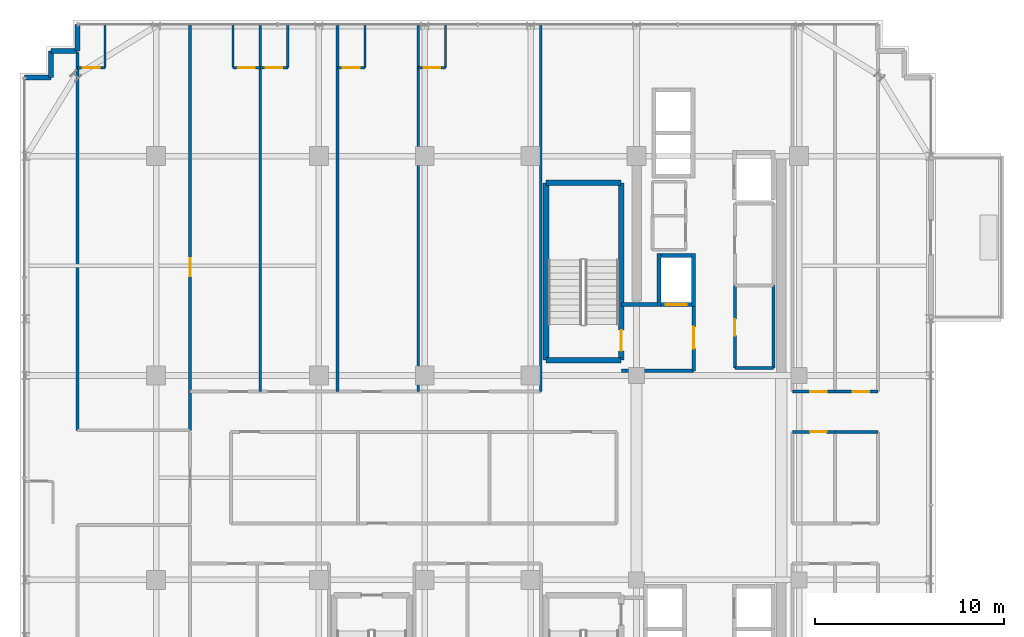
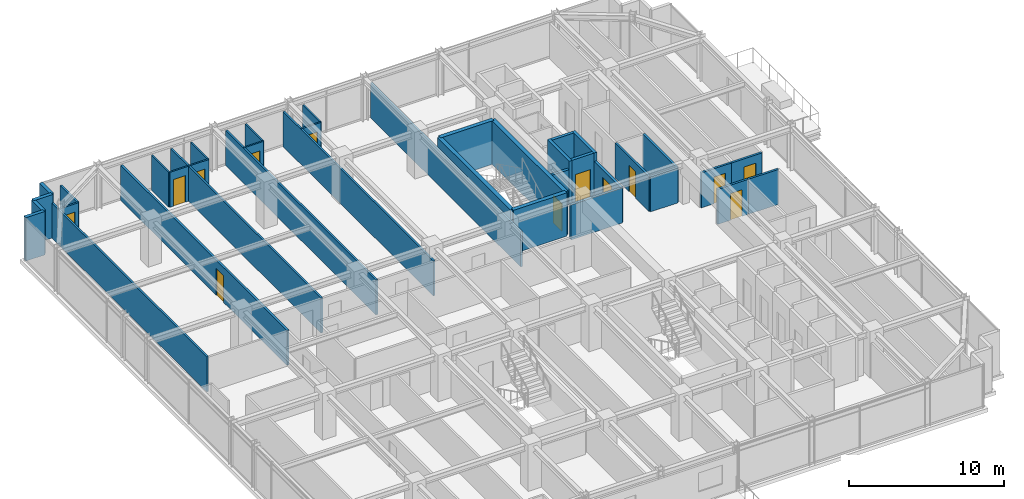
# One storey, part 30 of 34: 38 walls, 13 doors, 13 openings.
"""IFC4 building model written with IfcOpenShell, lengths in metres."""

from ifc_helpers import new_model, si_unit, direction, frame, frame_2d, origin, place, context, subcontext, project, spatial, rectangle, extrude, source, transform, mapped, material, layer, layer_set, type_object, element, fill, save


model = new_model("IFC4")

# Units and contexts
model_context = context("Model", 3, precision=1e-05, world=origin(), true_north=direction((0.0, 1.0)))
body_context = subcontext(model_context, "Body", "Model", "MODEL_VIEW")
ifc_project = project(units=[si_unit("LENGTHUNIT", "METRE"), si_unit("AREAUNIT", "SQUARE_METRE"), si_unit("VOLUMEUNIT", "CUBIC_METRE"), si_unit("PLANEANGLEUNIT", "RADIAN"), si_unit("MASSUNIT", "GRAM", prefix="KILO")], contexts=[model_context])

# Site, building, storey
site_placement = place(None, origin())
site = spatial("IfcSite", under=ifc_project, at=site_placement, CompositionType="ELEMENT")
building_placement = place(site_placement, origin())
building = spatial("IfcBuilding", under=site, at=building_placement, Name="Nahalor Promenade Grand Hotel", CompositionType="ELEMENT")
storey_placement = place(building_placement, frame((0.0, 0.0, 208.60009765625)))
storey = spatial("IfcBuildingStorey", under=building, at=storey_placement, Name="L53", CompositionType="ELEMENT", Elevation=208.60009765625)

# Walls
ifc_material_1 = material(Name="Concrete B-50 (C40/50)", Category="concrete")
ifc_layer_1 = layer(ifc_material_1, 0.300048828125)
ifc_layer_set_1 = layer_set([ifc_layer_1], Name="Concrete B-50 (C40/50)")
wall_type_1 = type_object("IfcWallType", Name="Wall-ShaftShear-300", PredefinedType="SHEAR", material=ifc_layer_set_1)
shared_shape_1 = source(origin(), body_context, "Body", "SweptSolid", [
    extrude(rectangle(XDim=3.97998046875, YDim=0.300048828125, at=frame_2d((1.989990234375, 0.0))), origin(), (0.0, 0.0, 1.0), 3.409912109375),
])
for number, where, z_axis, x_axis, name in (
    (1, (3.610107421875, 6.2099609375, 0.0), (0.0, 0.0, 1.0), (1.0, 0.0, 0.0), "L53 Exit Stair ST1 Shaft Wall S"),
    (2, (3.610107421875, 15.590087890625, 0.0), (0.0, 0.0, 1.0), (1.0, 0.0, 0.0), "L53 Exit Stair ST1 Shaft Wall N"),
):
    element("IfcWall", number, at=place(storey_placement, frame(where, z_axis=z_axis, x_axis=x_axis)), inside=storey, type_object=wall_type_1, Name=name, PredefinedType="SHEAR", context=body_context, shape_type="MappedRepresentation", body=[
        mapped(shared_shape_1, transform((0.0, 0.0, 0.0), scale=1.0)),
    ])
shared_shape_2 = source(origin(), body_context, "Body", "SweptSolid", [
    extrude(rectangle(XDim=9.380126953125, YDim=0.300048828125, at=frame_2d((4.68994140625, 0.0))), origin(), (0.0, 0.0, 1.0), 3.409912109375),
])
wall_1_placement = place(storey_placement, frame((3.610107421875, 6.2099609375, 0.0), z_axis=(0.0, 0.0, 1.0), x_axis=(0.0, 1.0, 0.0)))
element("IfcWall", 3, at=wall_1_placement, inside=storey, type_object=wall_type_1, Name="L53 Exit Stair ST1 Shaft Wall W", PredefinedType="SHEAR", context=body_context, shape_type="MappedRepresentation", body=[
    mapped(shared_shape_2, transform((0.0, 0.0, 0.0), scale=1.0)),
])

# Wall, opening, door
wall_2_placement = place(storey_placement, frame((7.590087890625, 6.2099609375, 0.0), z_axis=(0.0, 0.0, 1.0), x_axis=(0.0, 1.0, 0.0)))
wall_2 = element("IfcWall", 4, at=wall_2_placement, inside=storey, type_object=wall_type_1, Name="L53 Exit Stair ST1 Shaft Wall E", PredefinedType="SHEAR", context=body_context, shape_type="MappedRepresentation", body=[
    mapped(shared_shape_2, transform((0.0, 0.0, 0.0), scale=1.0)),
])
opening_1_placement = place(wall_2_placement, frame((0.489990234375, 0.0, 0.0)))
opening_1 = element("IfcOpeningElement", 5, at=opening_1_placement, cuts=wall_2, Name="Opening D-ST1", PredefinedType="OPENING", context=body_context, shape_type="SweptSolid", body=[
    extrude(rectangle(XDim=1.10009765625, YDim=2.14990234375, at=frame_2d((0.550048828125, 1.074951171875))), frame((0.0, 0.159912109375, 0.0), z_axis=(0.0, -1.0, 0.0), x_axis=(1.0, 0.0, 0.0)), (0.0, 0.0, 1.0), 0.320068359375),
])
ifc_material_2 = material(Name="Steel S355JR", Category="steel")
door_type_1 = type_object("IfcDoorType", Name="Door-StairFire-1100", OperationType="NOTDEFINED", PredefinedType="DOOR", material=ifc_material_2)
shared_shape_3 = source(origin(), body_context, "Body", "SweptSolid", [
    extrude(rectangle(XDim=1.10009765625, YDim=2.14990234375, at=frame_2d((0.550048828125, 1.074951171875))), frame((0.0, 0.02490234375, 0.0), z_axis=(0.0, -1.0, 0.0), x_axis=(1.0, 0.0, 0.0)), (0.0, 0.0, 1.0), 0.050048828125),
])
door_1_placement = place(opening_1_placement, origin())
door_1 = element("IfcDoor", 6, at=door_1_placement, inside=storey, type_object=door_type_1, Name="DR-STAIR-ST1-L53", OperationType="SINGLE_SWING_RIGHT", OverallHeight=2.14990234375, OverallWidth=1.10009765625, PredefinedType="DOOR", context=body_context, shape_type="MappedRepresentation", body=[
    mapped(shared_shape_3, transform((0.0, 0.0, 0.0), scale=1.0)),
])
fill(opening_1, door_1)

# Walls
ifc_layer_2 = layer(ifc_material_1, 0.219970703125)
ifc_layer_set_2 = layer_set([ifc_layer_2], Name="Concrete B-50 (C40/50)")
wall_type_2 = type_object("IfcWallType", Name="Wall-LiftShaft-220", PredefinedType="SHEAR", material=ifc_layer_set_2)
shared_shape_4 = source(origin(), body_context, "Body", "SweptSolid", [
    extrude(rectangle(XDim=2.820068359375, YDim=0.219970703125, at=frame_2d((1.41015625, 0.0))), origin(), (0.0, 0.0, 1.0), 3.409912109375),
])
for number, where, z_axis, x_axis, name in (
    (7, (9.580078125, 9.0400390625, 0.0), (0.0, 0.0, 1.0), (0.0, 1.0, 0.0), "L53 Lift FL1 Hoistway Wall W"),
    (8, (11.419921875, 9.0400390625, 0.0), (0.0, 0.0, 1.0), (0.0, 1.0, 0.0), "L53 Lift FL1 Hoistway Wall E"),
):
    element("IfcWall", number, at=place(storey_placement, frame(where, z_axis=z_axis, x_axis=x_axis)), inside=storey, type_object=wall_type_2, Name=name, PredefinedType="SHEAR", context=body_context, shape_type="MappedRepresentation", body=[
        mapped(shared_shape_4, transform((0.0, 0.0, 0.0), scale=1.0)),
    ])

# Wall, opening, door
shared_shape_5 = source(origin(), body_context, "Body", "SweptSolid", [
    extrude(rectangle(XDim=1.6201171875, YDim=0.219970703125, at=frame_2d((0.81005859375, 0.0))), origin(), (0.0, 0.0, 1.0), 3.409912109375),
])
wall_3_placement = place(storey_placement, frame((9.68994140625, 9.14990234375, 0.0), z_axis=(0.0, 0.0, 1.0), x_axis=(1.0, 0.0, 0.0)))
wall_3 = element("IfcWall", 9, at=wall_3_placement, inside=storey, type_object=wall_type_2, Name="L53 Lift FL1 Hoistway Wall S", PredefinedType="SHEAR", context=body_context, shape_type="MappedRepresentation", body=[
    mapped(shared_shape_5, transform((0.0, 0.0, 0.0), scale=1.0)),
])
opening_2_placement = place(wall_3_placement, frame((0.260009765625, 0.0, 0.0)))
opening_2 = element("IfcOpeningElement", 10, at=opening_2_placement, cuts=wall_3, Name="Opening LD-02", PredefinedType="OPENING", context=body_context, shape_type="SweptSolid", body=[
    extrude(rectangle(XDim=1.10009765625, YDim=2.199951171875, at=frame_2d((0.550048828125, 1.10009765625))), frame((0.0, 0.119873046875, 0.0), z_axis=(0.0, -1.0, 0.0), x_axis=(1.0, 0.0, 0.0)), (0.0, 0.0, 1.0), 0.239990234375),
])
door_type_2 = type_object("IfcDoorType", Name="Door-LiftFF-1100", OperationType="DOUBLE_DOOR_SLIDING", PredefinedType="DOOR", material=ifc_material_2)
shared_shape_6 = source(origin(), body_context, "Body", "SweptSolid", [
    extrude(rectangle(XDim=1.10009765625, YDim=2.199951171875, at=frame_2d((0.550048828125, 1.10009765625))), frame((0.0, 0.02490234375, 0.0), z_axis=(0.0, -1.0, 0.0), x_axis=(1.0, 0.0, 0.0)), (0.0, 0.0, 1.0), 0.050048828125),
])
door_2_placement = place(opening_2_placement, frame((1.10009765625, 0.0, 0.0), z_axis=(0.0, 0.0, 1.0), x_axis=(-1.0, 0.0, 0.0)))
door_2 = element("IfcDoor", 11, at=door_2_placement, inside=storey, type_object=door_type_2, Name="DR-LIFT-FL1-L53", OperationType="DOUBLE_DOOR_SLIDING", OverallHeight=2.199951171875, OverallWidth=1.10009765625, PredefinedType="DOOR", context=body_context, shape_type="MappedRepresentation", body=[
    mapped(shared_shape_6, transform((0.0, 0.0, 0.0), scale=1.0)),
])
fill(opening_2, door_2)

# Walls
wall_4_placement = place(storey_placement, frame((9.68994140625, 11.75, 0.0), z_axis=(0.0, 0.0, 1.0), x_axis=(1.0, 0.0, 0.0)))
element("IfcWall", 12, at=wall_4_placement, inside=storey, type_object=wall_type_2, Name="L53 Lift FL1 Hoistway Wall N", PredefinedType="SHEAR", context=body_context, shape_type="MappedRepresentation", body=[
    mapped(shared_shape_5, transform((0.0, 0.0, 0.0), scale=1.0)),
])
ifc_material_3 = material(Name="Concrete B-40 (C32/40)", Category="concrete")
ifc_layer_3 = layer(ifc_material_3, 0.25)
ifc_layer_set_3 = layer_set([ifc_layer_3], Name="Concrete B-40 (C32/40)")
wall_type_3 = type_object("IfcWallType", Name="Wall-BronzePier-250", PredefinedType="STANDARD", material=ifc_layer_set_3)
shared_shape_7 = source(origin(), body_context, "Body", "SweptSolid", [
    extrude(rectangle(XDim=1.39990234375, YDim=0.25, at=frame_2d((0.699951171875, 0.0))), origin(), (0.0, 0.0, 1.0), 3.409912109375),
])
for number, where, z_axis, x_axis, name in (
    (13, (-21.159912109375, 22.56005859375, 0.0), (0.0, 0.0, 1.0), (0.0, 1.0, 0.0), "W-L53-SR-09"),
    (14, (-23.9599609375, 21.159912109375, 0.0), (0.0, 0.0, 1.0), (1.0, 0.0, 0.0), "W-L53-SR-12"),
):
    element("IfcWall", number, at=place(storey_placement, frame(where, z_axis=z_axis, x_axis=x_axis)), inside=storey, type_object=wall_type_3, Name=name, PredefinedType="STANDARD", context=body_context, shape_type="MappedRepresentation", body=[
        mapped(shared_shape_7, transform((0.0, 0.0, 0.0), scale=1.0)),
    ])
shared_shape_8 = source(origin(), body_context, "Body", "SweptSolid", [
    extrude(rectangle(XDim=1.400146484375, YDim=0.25, at=frame_2d((0.7001953125, 0.0))), origin(), (0.0, 0.0, 1.0), 3.409912109375),
])
for number, where, z_axis, x_axis, name in (
    (15, (-22.56005859375, 22.56005859375, 0.0), (0.0, 0.0, 1.0), (1.0, 0.0, 0.0), "W-L53-SR-10"),
    (16, (-22.56005859375, 21.159912109375, 0.0), (0.0, 0.0, 1.0), (0.0, 1.0, 0.0), "W-L53-SR-11"),
):
    element("IfcWall", number, at=place(storey_placement, frame(where, z_axis=z_axis, x_axis=x_axis)), inside=storey, type_object=wall_type_3, Name=name, PredefinedType="STANDARD", context=body_context, shape_type="MappedRepresentation", body=[
        mapped(shared_shape_8, transform((0.0, 0.0, 0.0), scale=1.0)),
    ])
ifc_layer_4 = layer(ifc_material_3, 0.199951171875)
ifc_layer_set_4 = layer_set([ifc_layer_4], Name="Concrete B-40 (C32/40)")
wall_type_4 = type_object("IfcWallType", Name="Wall-PartFire-200", PredefinedType="PARTITIONING", material=ifc_layer_set_4)
shared_shape_9 = source(origin(), body_context, "Body", "SweptSolid", [
    extrude(rectangle(XDim=3.81982421875, YDim=0.199951171875, at=frame_2d((1.909912109375, 0.0))), origin(), (0.0, 0.0, 1.0), 2.75),
])
wall_5_placement = place(storey_placement, frame((7.60009765625, 5.64990234375, 0.0), z_axis=(0.0, 0.0, 1.0), x_axis=(1.0, 0.0, 0.0)))
element("IfcWall", 17, at=wall_5_placement, inside=storey, type_object=wall_type_4, Name="W-L53-FF1-S", PredefinedType="PARTITIONING", context=body_context, shape_type="MappedRepresentation", body=[
    mapped(shared_shape_9, transform((0.0, 0.0, 0.0), scale=1.0)),
])
shared_shape_10 = source(origin(), body_context, "Body", "SweptSolid", [
    extrude(rectangle(XDim=1.89990234375, YDim=0.199951171875, at=frame_2d((0.949951171875, 0.0))), origin(), (0.0, 0.0, 1.0), 2.75),
])
wall_6_placement = place(storey_placement, frame((7.60009765625, 9.14990234375, 0.0), z_axis=(0.0, 0.0, 1.0), x_axis=(1.0, 0.0, 0.0)))
element("IfcWall", 18, at=wall_6_placement, inside=storey, type_object=wall_type_4, Name="W-L53-FF1-N", PredefinedType="PARTITIONING", context=body_context, shape_type="MappedRepresentation", body=[
    mapped(shared_shape_10, transform((0.0, 0.0, 0.0), scale=1.0)),
])

# Wall, opening, door
shared_shape_11 = source(origin(), body_context, "Body", "SweptSolid", [
    extrude(rectangle(XDim=3.5, YDim=0.199951171875, at=frame_2d((1.75, 0.0))), origin(), (0.0, 0.0, 1.0), 2.75),
])
wall_7_placement = place(storey_placement, frame((11.419921875, 5.64990234375, 0.0), z_axis=(0.0, 0.0, 1.0), x_axis=(0.0, 1.0, 0.0)))
wall_7 = element("IfcWall", 19, at=wall_7_placement, inside=storey, type_object=wall_type_4, Name="W-L53-FF1-E", PredefinedType="PARTITIONING", context=body_context, shape_type="MappedRepresentation", body=[
    mapped(shared_shape_11, transform((0.0, 0.0, 0.0), scale=1.0)),
])
opening_3_placement = place(wall_7_placement, frame((1.175048828125, 0.0, 0.0)))
opening_3 = element("IfcOpeningElement", 20, at=opening_3_placement, cuts=wall_7, Name="Opening D-FF1", PredefinedType="OPENING", context=body_context, shape_type="SweptSolid", body=[
    extrude(rectangle(XDim=1.14990234375, YDim=2.14990234375, at=frame_2d((0.574951171875, 1.074951171875))), frame((0.0, 0.10986328125, 0.0), z_axis=(0.0, -1.0, 0.0), x_axis=(1.0, 0.0, 0.0)), (0.0, 0.0, 1.0), 0.219970703125),
])
door_type_3 = type_object("IfcDoorType", Name="Door-FFLobby-1150", OperationType="NOTDEFINED", PredefinedType="DOOR", material=ifc_material_2)
shared_shape_12 = source(origin(), body_context, "Body", "SweptSolid", [
    extrude(rectangle(XDim=1.14990234375, YDim=2.14990234375, at=frame_2d((0.574951171875, 1.074951171875))), frame((0.0, 0.02490234375, 0.0), z_axis=(0.0, -1.0, 0.0), x_axis=(1.0, 0.0, 0.0)), (0.0, 0.0, 1.0), 0.050048828125),
])
door_3_placement = place(opening_3_placement, frame((1.14990234375, 0.0, 0.0), z_axis=(0.0, 0.0, 1.0), x_axis=(-1.0, 0.0, 0.0)))
door_3 = element("IfcDoor", 21, at=door_3_placement, inside=storey, type_object=door_type_3, Name="DR-L53-FFL1", OperationType="SINGLE_SWING_LEFT", OverallHeight=2.14990234375, OverallWidth=1.14990234375, PredefinedType="DOOR", context=body_context, shape_type="MappedRepresentation", body=[
    mapped(shared_shape_12, transform((0.0, 0.0, 0.0), scale=1.0)),
])
fill(opening_3, door_3)

# Wall
ifc_material_4 = material(Name="Acoustic Mineral Gypsum", Category="gypsum")
ifc_layer_5 = layer(ifc_material_4, 0.159912109375)
ifc_layer_set_5 = layer_set([ifc_layer_5], Name="Acoustic Mineral Gypsum")
wall_type_5 = type_object("IfcWallType", Name="Wall-PartCorridor-160", PredefinedType="PARTITIONING", material=ifc_layer_set_5)
shared_shape_13 = source(origin(), body_context, "Body", "SweptSolid", [
    extrude(rectangle(XDim=2.0498046875, YDim=0.159912109375, at=frame_2d((1.02490234375, 0.0))), origin(), (0.0, 0.0, 1.0), 2.75),
])
wall_8_placement = place(storey_placement, frame((13.60009765625, 5.800048828125, 0.0), z_axis=(0.0, 0.0, 1.0), x_axis=(1.0, 0.0, 0.0)))
element("IfcWall", 22, at=wall_8_placement, inside=storey, type_object=wall_type_5, Name="W-L53-FRB1A-S", PredefinedType="PARTITIONING", context=body_context, shape_type="MappedRepresentation", body=[
    mapped(shared_shape_13, transform((0.0, 0.0, 0.0), scale=1.0)),
])

# Wall, opening, door
shared_shape_14 = source(origin(), body_context, "Body", "SweptSolid", [
    extrude(rectangle(XDim=2.255126953125, YDim=0.159912109375, at=frame_2d((1.12744140625, 0.0))), origin(), (0.0, 0.0, 1.0), 2.75),
])
wall_9_placement = place(storey_placement, frame((16.64990234375, 4.550048828125, 0.0), z_axis=(0.0, 0.0, 1.0), x_axis=(1.0, 0.0, 0.0)))
wall_9 = element("IfcWall", 23, at=wall_9_placement, inside=storey, type_object=wall_type_5, Name="W-L53-ENE1-S", PredefinedType="PARTITIONING", context=body_context, shape_type="MappedRepresentation", body=[
    mapped(shared_shape_14, transform((0.0, 0.0, 0.0), scale=1.0)),
])
opening_4_placement = place(wall_9_placement, frame((0.924072265625, 0.0, 0.0)))
opening_4 = element("IfcOpeningElement", 24, at=opening_4_placement, cuts=wall_9, Name="Opening D-03", PredefinedType="OPENING", context=body_context, shape_type="SweptSolid", body=[
    extrude(rectangle(XDim=0.8798828125, YDim=2.10009765625, at=frame_2d((0.43994140625, 1.050048828125))), frame((0.0, 0.08984375, 0.0), z_axis=(0.0, -1.0, 0.0), x_axis=(1.0, 0.0, 0.0)), (0.0, 0.0, 1.0), 0.179931640625),
])
ifc_material_5 = material(Name="Fire-Rated Timber Composite", Category="wood")
door_type_4 = type_object("IfcDoorType", Name="Door-BathSwing-880", OperationType="NOTDEFINED", PredefinedType="DOOR", material=ifc_material_5)
shared_shape_15 = source(origin(), body_context, "Body", "SweptSolid", [
    extrude(rectangle(XDim=0.8798828125, YDim=2.10009765625, at=frame_2d((0.43994140625, 1.050048828125))), frame((0.0, 0.02490234375, 0.0), z_axis=(0.0, -1.0, 0.0), x_axis=(1.0, 0.0, 0.0)), (0.0, 0.0, 1.0), 0.050048828125),
])
door_4_placement = place(opening_4_placement, origin())
door_4 = element("IfcDoor", 25, at=door_4_placement, inside=storey, type_object=door_type_4, Name="DR-L53-ENE1", OperationType="SINGLE_SWING_LEFT", OverallHeight=2.10009765625, OverallWidth=0.8798828125, PredefinedType="DOOR", context=body_context, shape_type="MappedRepresentation", body=[
    mapped(shared_shape_15, transform((0.0, 0.0, 0.0), scale=1.0)),
])
fill(opening_4, door_4)

wall_10_placement = place(storey_placement, frame((16.64990234375, 2.419921875, 0.0), z_axis=(0.0, 0.0, 1.0), x_axis=(1.0, 0.0, 0.0)))
wall_10 = element("IfcWall", 26, at=wall_10_placement, inside=storey, type_object=wall_type_5, Name="W-L53-ECW1-N", PredefinedType="PARTITIONING", context=body_context, shape_type="MappedRepresentation", body=[
    mapped(shared_shape_14, transform((0.0, 0.0, 0.0), scale=1.0)),
])
opening_5_placement = place(wall_10_placement, frame((0.924072265625, 0.0, 0.0)))
opening_5 = element("IfcOpeningElement", 27, at=opening_5_placement, cuts=wall_10, Name="Opening D-03", PredefinedType="OPENING", context=body_context, shape_type="SweptSolid", body=[
    extrude(rectangle(XDim=0.8798828125, YDim=2.10009765625, at=frame_2d((0.43994140625, 1.050048828125))), frame((0.0, 0.08984375, 0.0), z_axis=(0.0, -1.0, 0.0), x_axis=(1.0, 0.0, 0.0)), (0.0, 0.0, 1.0), 0.179931640625),
])
door_5_placement = place(opening_5_placement, frame((0.8798828125, 0.0, 0.0), z_axis=(0.0, 0.0, 1.0), x_axis=(-1.0, 0.0, 0.0)))
door_5 = element("IfcDoor", 28, at=door_5_placement, inside=storey, type_object=door_type_4, Name="DR-L53-ECW1", OperationType="SINGLE_SWING_RIGHT", OverallHeight=2.10009765625, OverallWidth=0.8798828125, PredefinedType="DOOR", context=body_context, shape_type="MappedRepresentation", body=[
    mapped(shared_shape_15, transform((0.0, 0.0, 0.0), scale=1.0)),
])
fill(opening_5, door_5)

shared_shape_16 = source(origin(), body_context, "Body", "SweptSolid", [
    extrude(rectangle(XDim=2.2548828125, YDim=0.159912109375, at=frame_2d((1.12744140625, 0.0))), origin(), (0.0, 0.0, 1.0), 2.75),
])
wall_11_placement = place(storey_placement, frame((18.905029296875, 4.550048828125, 0.0), z_axis=(0.0, 0.0, 1.0), x_axis=(1.0, 0.0, 0.0)))
wall_11 = element("IfcWall", 29, at=wall_11_placement, inside=storey, type_object=wall_type_5, Name="W-L53-ENE2-S", PredefinedType="PARTITIONING", context=body_context, shape_type="MappedRepresentation", body=[
    mapped(shared_shape_16, transform((0.0, 0.0, 0.0), scale=1.0)),
])
opening_6_placement = place(wall_11_placement, frame((0.924072265625, 0.0, 0.0)))
opening_6 = element("IfcOpeningElement", 30, at=opening_6_placement, cuts=wall_11, Name="Opening D-03", PredefinedType="OPENING", context=body_context, shape_type="SweptSolid", body=[
    extrude(rectangle(XDim=0.8798828125, YDim=2.10009765625, at=frame_2d((0.43994140625, 1.050048828125))), frame((0.0, 0.08984375, 0.0), z_axis=(0.0, -1.0, 0.0), x_axis=(1.0, 0.0, 0.0)), (0.0, 0.0, 1.0), 0.179931640625),
])
door_6_placement = place(opening_6_placement, origin())
door_6 = element("IfcDoor", 31, at=door_6_placement, inside=storey, type_object=door_type_4, Name="DR-L53-ENE2", OperationType="SINGLE_SWING_RIGHT", OverallHeight=2.10009765625, OverallWidth=0.8798828125, PredefinedType="DOOR", context=body_context, shape_type="MappedRepresentation", body=[
    mapped(shared_shape_15, transform((0.0, 0.0, 0.0), scale=1.0)),
])
fill(opening_6, door_6)

# Wall
wall_12_placement = place(storey_placement, frame((18.905029296875, 2.419921875, 0.0), z_axis=(0.0, 0.0, 1.0), x_axis=(1.0, 0.0, 0.0)))
element("IfcWall", 32, at=wall_12_placement, inside=storey, type_object=wall_type_5, Name="W-L53-ECW2-N", PredefinedType="PARTITIONING", context=body_context, shape_type="MappedRepresentation", body=[
    mapped(shared_shape_16, transform((0.0, 0.0, 0.0), scale=1.0)),
])

# Wall, opening, door
shared_shape_17 = source(origin(), body_context, "Body", "SweptSolid", [
    extrude(rectangle(XDim=21.39990234375, YDim=0.159912109375, at=frame_2d((10.699951171875, 0.0))), origin(), (0.0, 0.0, 1.0), 2.75),
])
wall_13_placement = place(storey_placement, frame((-15.199951171875, 2.5, 0.0), z_axis=(0.0, 0.0, 1.0), x_axis=(0.0, 1.0, 0.0)))
wall_13 = element("IfcWall", 33, at=wall_13_placement, inside=storey, type_object=wall_type_5, Name="W-L53-ZNW-E", PredefinedType="PARTITIONING", context=body_context, shape_type="MappedRepresentation", body=[
    mapped(shared_shape_17, transform((0.0, 0.0, 0.0), scale=1.0)),
])
opening_7_placement = place(wall_13_placement, frame((8.14990234375, 0.0, 0.0)))
opening_7 = element("IfcOpeningElement", 34, at=opening_7_placement, cuts=wall_13, Name="Opening D-01", PredefinedType="OPENING", context=body_context, shape_type="SweptSolid", body=[
    extrude(rectangle(XDim=0.949951171875, YDim=2.10009765625, at=frame_2d((0.47509765625, 1.050048828125))), frame((0.0, 0.08984375, 0.0), z_axis=(0.0, -1.0, 0.0), x_axis=(1.0, 0.0, 0.0)), (0.0, 0.0, 1.0), 0.179931640625),
])
door_type_5 = type_object("IfcDoorType", Name="Door-GuestEntry-950", OperationType="NOTDEFINED", PredefinedType="DOOR", material=ifc_material_5)
shared_shape_18 = source(origin(), body_context, "Body", "SweptSolid", [
    extrude(rectangle(XDim=0.949951171875, YDim=2.10009765625, at=frame_2d((0.47509765625, 1.050048828125))), frame((0.0, 0.02490234375, 0.0), z_axis=(0.0, -1.0, 0.0), x_axis=(1.0, 0.0, 0.0)), (0.0, 0.0, 1.0), 0.050048828125),
])
door_7_placement = place(opening_7_placement, origin())
door_7 = element("IfcDoor", 35, at=door_7_placement, inside=storey, type_object=door_type_5, Name="DR-L53-NW0-ENT", OperationType="SINGLE_SWING_RIGHT", OverallHeight=2.10009765625, OverallWidth=0.949951171875, PredefinedType="DOOR", context=body_context, shape_type="MappedRepresentation", body=[
    mapped(shared_shape_18, transform((0.0, 0.0, 0.0), scale=1.0)),
])
fill(opening_7, door_7)

# Wall
ifc_layer_6 = layer(ifc_material_4, 0.139892578125)
ifc_layer_set_6 = layer_set([ifc_layer_6], Name="Acoustic Mineral Gypsum")
wall_type_6 = type_object("IfcWallType", Name="Wall-PartSuite-140", PredefinedType="PARTITIONING", material=ifc_layer_set_6)
shared_shape_19 = source(origin(), body_context, "Body", "SweptSolid", [
    extrude(rectangle(XDim=19.97998046875, YDim=0.139892578125, at=frame_2d((9.989990234375, 0.0))), origin(), (0.0, 0.0, 1.0), 2.75),
])
wall_14_placement = place(storey_placement, frame((-21.159912109375, 2.5, 0.0), z_axis=(0.0, 0.0, 1.0), x_axis=(0.0, 1.0, 0.0)))
element("IfcWall", 36, at=wall_14_placement, inside=storey, type_object=wall_type_6, Name="W-L53-ZNW-W", PredefinedType="PARTITIONING", context=body_context, shape_type="MappedRepresentation", body=[
    mapped(shared_shape_19, transform((0.0, 0.0, 0.0), scale=1.0)),
])

# Wall, opening, door
ifc_layer_7 = layer(ifc_material_4, 0.1201171875)
ifc_layer_set_7 = layer_set([ifc_layer_7], Name="Acoustic Mineral Gypsum")
wall_type_7 = type_object("IfcWallType", Name="Wall-PartBath-120", PredefinedType="PARTITIONING", material=ifc_layer_set_7)
shared_shape_20 = source(origin(), body_context, "Body", "SweptSolid", [
    extrude(rectangle(XDim=1.449951171875, YDim=0.1201171875, at=frame_2d((0.72509765625, 0.0))), origin(), (0.0, 0.0, 1.0), 2.75),
])
wall_15_placement = place(storey_placement, frame((-21.159912109375, 21.679931640625, 0.0), z_axis=(0.0, 0.0, 1.0), x_axis=(1.0, 0.0, 0.0)))
wall_15 = element("IfcWall", 37, at=wall_15_placement, inside=storey, type_object=wall_type_7, Name="W-L53-NW0-BH", PredefinedType="PARTITIONING", context=body_context, shape_type="MappedRepresentation", body=[
    mapped(shared_shape_20, transform((0.0, 0.0, 0.0), scale=1.0)),
])
opening_8_placement = place(wall_15_placement, frame((0.284912109375, 0.0, 0.0)))
opening_8 = element("IfcOpeningElement", 38, at=opening_8_placement, cuts=wall_15, Name="Opening D-03", PredefinedType="OPENING", context=body_context, shape_type="SweptSolid", body=[
    extrude(rectangle(XDim=0.8798828125, YDim=2.10009765625, at=frame_2d((0.43994140625, 1.050048828125))), frame((0.0, 0.070068359375, 0.0), z_axis=(0.0, -1.0, 0.0), x_axis=(1.0, 0.0, 0.0)), (0.0, 0.0, 1.0), 0.14013671875),
])
door_8_placement = place(opening_8_placement, origin())
door_8 = element("IfcDoor", 39, at=door_8_placement, inside=storey, type_object=door_type_4, Name="DR-L53-NW0-BATH", OperationType="SINGLE_SWING_LEFT", OverallHeight=2.10009765625, OverallWidth=0.8798828125, PredefinedType="DOOR", context=body_context, shape_type="MappedRepresentation", body=[
    mapped(shared_shape_15, transform((0.0, 0.0, 0.0), scale=1.0)),
])
fill(opening_8, door_8)

wall_16_placement = place(storey_placement, frame((-12.94189453125, 21.679931640625, 0.0), z_axis=(0.0, 0.0, 1.0), x_axis=(1.0, 0.0, 0.0)))
wall_16 = element("IfcWall", 40, at=wall_16_placement, inside=storey, type_object=wall_type_7, Name="W-L53-N1-BH", PredefinedType="PARTITIONING", context=body_context, shape_type="MappedRepresentation", body=[
    mapped(shared_shape_20, transform((0.0, 0.0, 0.0), scale=1.0)),
])
opening_9_placement = place(wall_16_placement, frame((0.284912109375, 0.0, 0.0)))
opening_9 = element("IfcOpeningElement", 41, at=opening_9_placement, cuts=wall_16, Name="Opening D-03", PredefinedType="OPENING", context=body_context, shape_type="SweptSolid", body=[
    extrude(rectangle(XDim=0.8798828125, YDim=2.10009765625, at=frame_2d((0.43994140625, 1.050048828125))), frame((0.0, 0.070068359375, 0.0), z_axis=(0.0, -1.0, 0.0), x_axis=(1.0, 0.0, 0.0)), (0.0, 0.0, 1.0), 0.14013671875),
])
door_9_placement = place(opening_9_placement, origin())
door_9 = element("IfcDoor", 42, at=door_9_placement, inside=storey, type_object=door_type_4, Name="DR-L53-N1-BATH", OperationType="SINGLE_SWING_LEFT", OverallHeight=2.10009765625, OverallWidth=0.8798828125, PredefinedType="DOOR", context=body_context, shape_type="MappedRepresentation", body=[
    mapped(shared_shape_15, transform((0.0, 0.0, 0.0), scale=1.0)),
])
fill(opening_9, door_9)

wall_17_placement = place(storey_placement, frame((-11.491943359375, 21.679931640625, 0.0), z_axis=(0.0, 0.0, 1.0), x_axis=(1.0, 0.0, 0.0)))
wall_17 = element("IfcWall", 43, at=wall_17_placement, inside=storey, type_object=wall_type_7, Name="W-L53-N2-BH", PredefinedType="PARTITIONING", context=body_context, shape_type="MappedRepresentation", body=[
    mapped(shared_shape_20, transform((0.0, 0.0, 0.0), scale=1.0)),
])
opening_10_placement = place(wall_17_placement, frame((0.284912109375, 0.0, 0.0)))
opening_10 = element("IfcOpeningElement", 44, at=opening_10_placement, cuts=wall_17, Name="Opening D-03", PredefinedType="OPENING", context=body_context, shape_type="SweptSolid", body=[
    extrude(rectangle(XDim=0.8798828125, YDim=2.10009765625, at=frame_2d((0.43994140625, 1.050048828125))), frame((0.0, 0.070068359375, 0.0), z_axis=(0.0, -1.0, 0.0), x_axis=(1.0, 0.0, 0.0)), (0.0, 0.0, 1.0), 0.14013671875),
])
door_10_placement = place(opening_10_placement, origin())
door_10 = element("IfcDoor", 45, at=door_10_placement, inside=storey, type_object=door_type_4, Name="DR-L53-N2-BATH", OperationType="SINGLE_SWING_LEFT", OverallHeight=2.10009765625, OverallWidth=0.8798828125, PredefinedType="DOOR", context=body_context, shape_type="MappedRepresentation", body=[
    mapped(shared_shape_15, transform((0.0, 0.0, 0.0), scale=1.0)),
])
fill(opening_10, door_10)

wall_18_placement = place(storey_placement, frame((-3.14892578125, 21.679931640625, 0.0), z_axis=(0.0, 0.0, 1.0), x_axis=(1.0, 0.0, 0.0)))
wall_18 = element("IfcWall", 46, at=wall_18_placement, inside=storey, type_object=wall_type_7, Name="W-L53-N4-BH", PredefinedType="PARTITIONING", context=body_context, shape_type="MappedRepresentation", body=[
    mapped(shared_shape_20, transform((0.0, 0.0, 0.0), scale=1.0)),
])
opening_11_placement = place(wall_18_placement, frame((0.284912109375, 0.0, 0.0)))
opening_11 = element("IfcOpeningElement", 47, at=opening_11_placement, cuts=wall_18, Name="Opening D-03", PredefinedType="OPENING", context=body_context, shape_type="SweptSolid", body=[
    extrude(rectangle(XDim=0.8798828125, YDim=2.10009765625, at=frame_2d((0.43994140625, 1.050048828125))), frame((0.0, 0.070068359375, 0.0), z_axis=(0.0, -1.0, 0.0), x_axis=(1.0, 0.0, 0.0)), (0.0, 0.0, 1.0), 0.14013671875),
])
door_11_placement = place(opening_11_placement, origin())
door_11 = element("IfcDoor", 48, at=door_11_placement, inside=storey, type_object=door_type_4, Name="DR-L53-N4-BATH", OperationType="SINGLE_SWING_LEFT", OverallHeight=2.10009765625, OverallWidth=0.8798828125, PredefinedType="DOOR", context=body_context, shape_type="MappedRepresentation", body=[
    mapped(shared_shape_15, transform((0.0, 0.0, 0.0), scale=1.0)),
])
fill(opening_11, door_11)

# Walls
shared_shape_21 = source(origin(), body_context, "Body", "SweptSolid", [
    extrude(rectangle(XDim=2.219970703125, YDim=0.1201171875, at=frame_2d((1.10986328125, 0.0))), origin(), (0.0, 0.0, 1.0), 2.75),
])
for number, where, z_axis, x_axis, name in (
    (49, (-19.7099609375, 21.679931640625, 0.0), (0.0, 0.0, 1.0), (0.0, 1.0, 0.0), "W-L53-NW0-BV"),
    (50, (-12.94189453125, 21.679931640625, 0.0), (0.0, 0.0, 1.0), (0.0, 1.0, 0.0), "W-L53-N1-BV"),
    (51, (-10.0419921875, 21.679931640625, 0.0), (0.0, 0.0, 1.0), (0.0, 1.0, 0.0), "W-L53-N2-BV"),
    (52, (-5.962890625, 21.679931640625, 0.0), (0.0, 0.0, 1.0), (0.0, 1.0, 0.0), "W-L53-N3-BV"),
    (53, (-1.698974609375, 21.679931640625, 0.0), (0.0, 0.0, 1.0), (0.0, 1.0, 0.0), "W-L53-N4-BV"),
):
    element("IfcWall", number, at=place(storey_placement, frame(where, z_axis=z_axis, x_axis=x_axis)), inside=storey, type_object=wall_type_7, Name=name, PredefinedType="PARTITIONING", context=body_context, shape_type="MappedRepresentation", body=[
        mapped(shared_shape_21, transform((0.0, 0.0, 0.0), scale=1.0)),
    ])
shared_shape_22 = source(origin(), body_context, "Body", "SweptSolid", [
    extrude(rectangle(XDim=19.349853515625, YDim=0.139892578125, at=frame_2d((9.6748046875, 0.0))), origin(), (0.0, 0.0, 1.0), 2.75),
])
for number, where, z_axis, x_axis, name in (
    (54, (3.340087890625, 4.550048828125, 0.0), (0.0, 0.0, 1.0), (0.0, 1.0, 0.0), "W-L53-NW-ENDE"),
    (55, (-11.491943359375, 4.550048828125, 0.0), (0.0, 0.0, 1.0), (0.0, 1.0, 0.0), "W-L53-NP-1"),
    (56, (-7.4130859375, 4.550048828125, 0.0), (0.0, 0.0, 1.0), (0.0, 1.0, 0.0), "W-L53-NP-2"),
    (57, (-3.14892578125, 4.550048828125, 0.0), (0.0, 0.0, 1.0), (0.0, 1.0, 0.0), "W-L53-NP-3"),
):
    element("IfcWall", number, at=place(storey_placement, frame(where, z_axis=z_axis, x_axis=x_axis)), inside=storey, type_object=wall_type_6, Name=name, PredefinedType="PARTITIONING", context=body_context, shape_type="MappedRepresentation", body=[
        mapped(shared_shape_22, transform((0.0, 0.0, 0.0), scale=1.0)),
    ])

# Wall, opening, door
shared_shape_23 = source(origin(), body_context, "Body", "SweptSolid", [
    extrude(rectangle(XDim=1.4501953125, YDim=0.1201171875, at=frame_2d((0.72509765625, 0.0))), origin(), (0.0, 0.0, 1.0), 2.75),
])
wall_19_placement = place(storey_placement, frame((-7.4130859375, 21.679931640625, 0.0), z_axis=(0.0, 0.0, 1.0), x_axis=(1.0, 0.0, 0.0)))
wall_19 = element("IfcWall", 58, at=wall_19_placement, inside=storey, type_object=wall_type_7, Name="W-L53-N3-BH", PredefinedType="PARTITIONING", context=body_context, shape_type="MappedRepresentation", body=[
    mapped(shared_shape_23, transform((0.0, 0.0, 0.0), scale=1.0)),
])
opening_12_placement = place(wall_19_placement, frame((0.284912109375, 0.0, 0.0)))
opening_12 = element("IfcOpeningElement", 59, at=opening_12_placement, cuts=wall_19, Name="Opening D-03", PredefinedType="OPENING", context=body_context, shape_type="SweptSolid", body=[
    extrude(rectangle(XDim=0.8798828125, YDim=2.10009765625, at=frame_2d((0.43994140625, 1.050048828125))), frame((0.0, 0.070068359375, 0.0), z_axis=(0.0, -1.0, 0.0), x_axis=(1.0, 0.0, 0.0)), (0.0, 0.0, 1.0), 0.14013671875),
])
door_12_placement = place(opening_12_placement, origin())
door_12 = element("IfcDoor", 60, at=door_12_placement, inside=storey, type_object=door_type_4, Name="DR-L53-N3-BATH", OperationType="SINGLE_SWING_LEFT", OverallHeight=2.10009765625, OverallWidth=0.8798828125, PredefinedType="DOOR", context=body_context, shape_type="MappedRepresentation", body=[
    mapped(shared_shape_15, transform((0.0, 0.0, 0.0), scale=1.0)),
])
fill(opening_12, door_12)

shared_shape_24 = source(origin(), body_context, "Body", "SweptSolid", [
    extrude(rectangle(XDim=4.349853515625, YDim=0.159912109375, at=frame_2d((2.1748046875, 0.0))), origin(), (0.0, 0.0, 1.0), 2.75),
])
wall_20_placement = place(storey_placement, frame((13.60009765625, 5.800048828125, 0.0), z_axis=(0.0, 0.0, 1.0), x_axis=(0.0, 1.0, 0.0)))
wall_20 = element("IfcWall", 61, at=wall_20_placement, inside=storey, type_object=wall_type_5, Name="W-L53-FRB1A-W", PredefinedType="PARTITIONING", context=body_context, shape_type="MappedRepresentation", body=[
    mapped(shared_shape_24, transform((0.0, 0.0, 0.0), scale=1.0)),
])
opening_13_placement = place(wall_20_placement, frame((1.7099609375, 0.0, 0.0)))
opening_13 = element("IfcOpeningElement", 62, at=opening_13_placement, cuts=wall_20, Name="Opening D-03", PredefinedType="OPENING", context=body_context, shape_type="SweptSolid", body=[
    extrude(rectangle(XDim=0.8798828125, YDim=2.10009765625, at=frame_2d((0.43994140625, 1.050048828125))), frame((0.0, 0.08984375, 0.0), z_axis=(0.0, -1.0, 0.0), x_axis=(1.0, 0.0, 0.0)), (0.0, 0.0, 1.0), 0.179931640625),
])
door_13_placement = place(opening_13_placement, frame((0.8798828125, 0.0, 0.0), z_axis=(0.0, 0.0, 1.0), x_axis=(-1.0, 0.0, 0.0)))
door_13 = element("IfcDoor", 63, at=door_13_placement, inside=storey, type_object=door_type_4, Name="DR-L53-FRB1A", OperationType="SINGLE_SWING_LEFT", OverallHeight=2.10009765625, OverallWidth=0.8798828125, PredefinedType="DOOR", context=body_context, shape_type="MappedRepresentation", body=[
    mapped(shared_shape_15, transform((0.0, 0.0, 0.0), scale=1.0)),
])
fill(opening_13, door_13)

# Wall
wall_21_placement = place(storey_placement, frame((15.64990234375, 5.800048828125, 0.0), z_axis=(0.0, 0.0, 1.0), x_axis=(0.0, 1.0, 0.0)))
element("IfcWall", 64, at=wall_21_placement, inside=storey, type_object=wall_type_5, Name="W-L53-FRB1A-E", PredefinedType="PARTITIONING", context=body_context, shape_type="MappedRepresentation", body=[
    mapped(shared_shape_24, transform((0.0, 0.0, 0.0), scale=1.0)),
])

save(model, "model.ifc")
